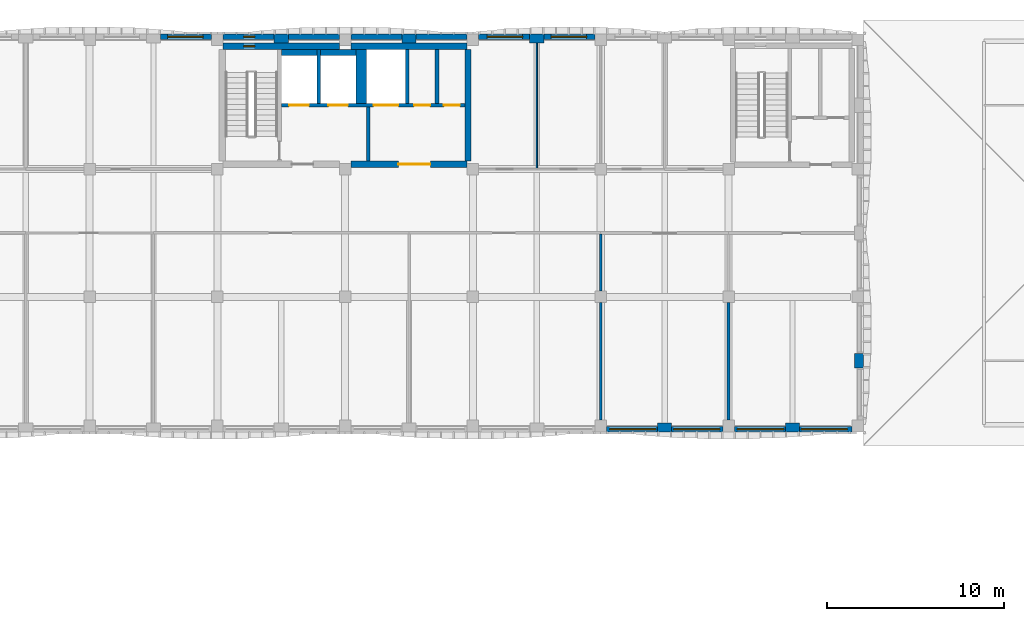
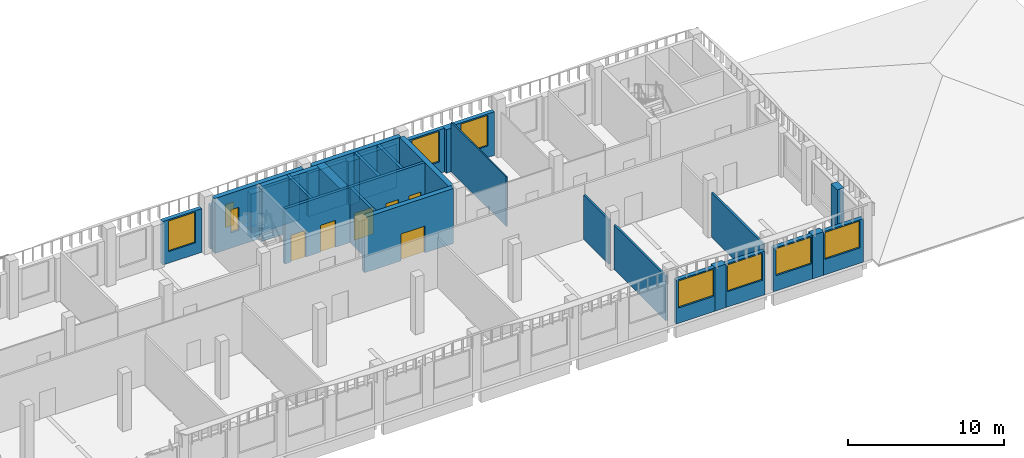
# One storey, part 27 of 54: 33 walls, 9 windows, 6 doors, 15 openings.
"""IFC4 building model written with IfcOpenShell, lengths in metres."""

from ifc_helpers import new_model, si_unit, direction, frame, frame_2d, origin, place, context, subcontext, project, spatial, rectangle, extrude, material, layer, layer_set, type_object, element, fill, save


model = new_model("IFC4")

# Units and contexts
model_context = context("Model", 3, precision=1e-05, world=origin(), true_north=direction((0.0, 1.0)))
body_context = subcontext(model_context, "Body", "Model", "MODEL_VIEW")
ifc_project = project(units=[si_unit("LENGTHUNIT", "METRE"), si_unit("AREAUNIT", "SQUARE_METRE"), si_unit("VOLUMEUNIT", "CUBIC_METRE"), si_unit("PLANEANGLEUNIT", "RADIAN"), si_unit("MASSUNIT", "GRAM", prefix="KILO")], contexts=[model_context])

# Site, building, storey
site_placement = place(None, origin())
site = spatial("IfcSite", under=ifc_project, at=site_placement, CompositionType="ELEMENT")
building_placement = place(site_placement, origin())
building = spatial("IfcBuilding", under=site, at=building_placement, Name="Ussher Court Research Institute", CompositionType="ELEMENT")
storey_placement = place(building_placement, frame((0.0, 0.0, 14.39990234375)))
storey = spatial("IfcBuildingStorey", under=building, at=storey_placement, Name="L03", CompositionType="ELEMENT", Elevation=14.39990234375)

# Wall, opening, window
ifc_material_1 = material(Name="Blockwork with cream render", Category="masonry")
ifc_layer_1 = layer(ifc_material_1, 0.300048828125)
ifc_layer_set_1 = layer_set([ifc_layer_1], Name="Blockwork with cream render")
wall_type_1 = type_object("IfcWallType", Name="External wall 300 cream render", PredefinedType="SOLIDWALL", material=ifc_layer_set_1)
wall_1_placement = place(storey_placement, frame((43.0, 90.64990234375, 0.0), z_axis=(0.0, 0.0, 1.0), x_axis=(1.0, 0.0, 0.0)))
wall_1 = element("IfcWall", 1, at=wall_1_placement, inside=storey, type_object=wall_type_1, Name="External wall EW1 L03", PredefinedType="SOLIDWALL", context=body_context, shape_type="SweptSolid", body=[
    extrude(rectangle(XDim=2.875, YDim=0.300048828125, at=frame_2d((1.4375, 0.0))), origin(), (0.0, 0.0, 1.0), 3.400146484375),
])
opening_1_placement = place(wall_1_placement, frame((0.39990234375, 0.0, 0.89990234375)))
opening_1 = element("IfcOpeningElement", 2, at=opening_1_placement, cuts=wall_1, Name="Opening W14", PredefinedType="OPENING", context=body_context, shape_type="SweptSolid", body=[
    extrude(rectangle(XDim=2.0, YDim=2.39990234375, at=frame_2d((1.0, 1.199951171875))), frame((0.0, 0.16015625, 0.0), z_axis=(0.0, -1.0, 0.0), x_axis=(1.0, 0.0, 0.0)), (0.0, 0.0, 1.0), 0.320068359375),
])
ifc_material_2 = material(Name="Bronze anodised aluminium with double glazing", Category="aluminium")
window_type_1 = type_object("IfcWindowType", Name="Seminar and write-up office window 2000x2400", PartitioningType="DOUBLE_PANEL_VERTICAL", PredefinedType="WINDOW", material=ifc_material_2)
window_1_placement = place(opening_1_placement, origin())
window_1 = element("IfcWindow", 3, at=window_1_placement, inside=storey, type_object=window_type_1, Name="Window W14 L03", OverallHeight=2.39990234375, OverallWidth=2.0, PartitioningType="SINGLE_PANEL", PredefinedType="WINDOW", context=body_context, shape_type="SweptSolid", body=[
    extrude(rectangle(XDim=2.0, YDim=2.39990234375, at=frame_2d((1.0, 1.199951171875))), frame((0.0, 0.030029296875, 0.0), z_axis=(0.0, -1.0, 0.0), x_axis=(1.0, 0.0, 0.0)), (0.0, 0.0, 1.0), 0.06005859375),
])
fill(opening_1, window_1)

wall_2_placement = place(storey_placement, frame((60.925048828125, 90.64990234375, 0.0), z_axis=(0.0, 0.0, 1.0), x_axis=(1.0, 0.0, 0.0)))
wall_2 = element("IfcWall", 4, at=wall_2_placement, inside=storey, type_object=wall_type_1, Name="External wall EW1 L03", PredefinedType="SOLIDWALL", context=body_context, shape_type="SweptSolid", body=[
    extrude(rectangle(XDim=2.875, YDim=0.300048828125, at=frame_2d((1.4375, 0.0))), origin(), (0.0, 0.0, 1.0), 3.400146484375),
])
opening_2_placement = place(wall_2_placement, frame((0.47509765625, 0.0, 0.89990234375)))
opening_2 = element("IfcOpeningElement", 5, at=opening_2_placement, cuts=wall_2, Name="Opening W14", PredefinedType="OPENING", context=body_context, shape_type="SweptSolid", body=[
    extrude(rectangle(XDim=2.0, YDim=2.39990234375, at=frame_2d((1.0, 1.199951171875))), frame((0.0, 0.16015625, 0.0), z_axis=(0.0, -1.0, 0.0), x_axis=(1.0, 0.0, 0.0)), (0.0, 0.0, 1.0), 0.320068359375),
])
window_2_placement = place(opening_2_placement, origin())
window_2 = element("IfcWindow", 6, at=window_2_placement, inside=storey, type_object=window_type_1, Name="Window W14 L03", OverallHeight=2.39990234375, OverallWidth=2.0, PartitioningType="SINGLE_PANEL", PredefinedType="WINDOW", context=body_context, shape_type="SweptSolid", body=[
    extrude(rectangle(XDim=2.0, YDim=2.39990234375, at=frame_2d((1.0, 1.199951171875))), frame((0.0, 0.030029296875, 0.0), z_axis=(0.0, -1.0, 0.0), x_axis=(1.0, 0.0, 0.0)), (0.0, 0.0, 1.0), 0.06005859375),
])
fill(opening_2, window_2)

wall_3_placement = place(storey_placement, frame((64.60009765625, 90.64990234375, 0.0), z_axis=(0.0, 0.0, 1.0), x_axis=(1.0, 0.0, 0.0)))
wall_3 = element("IfcWall", 7, at=wall_3_placement, inside=storey, type_object=wall_type_1, Name="External wall EW1 L03", PredefinedType="SOLIDWALL", context=body_context, shape_type="SweptSolid", body=[
    extrude(rectangle(XDim=2.875, YDim=0.300048828125, at=frame_2d((1.4375, 0.0))), origin(), (0.0, 0.0, 1.0), 3.400146484375),
])
opening_3_placement = place(wall_3_placement, frame((0.39990234375, 0.0, 0.89990234375)))
opening_3 = element("IfcOpeningElement", 8, at=opening_3_placement, cuts=wall_3, Name="Opening W14", PredefinedType="OPENING", context=body_context, shape_type="SweptSolid", body=[
    extrude(rectangle(XDim=2.0, YDim=2.39990234375, at=frame_2d((1.0, 1.199951171875))), frame((0.0, 0.16015625, 0.0), z_axis=(0.0, -1.0, 0.0), x_axis=(1.0, 0.0, 0.0)), (0.0, 0.0, 1.0), 0.320068359375),
])
window_3_placement = place(opening_3_placement, origin())
window_3 = element("IfcWindow", 9, at=window_3_placement, inside=storey, type_object=window_type_1, Name="Window W14 L03", OverallHeight=2.39990234375, OverallWidth=2.0, PartitioningType="SINGLE_PANEL", PredefinedType="WINDOW", context=body_context, shape_type="SweptSolid", body=[
    extrude(rectangle(XDim=2.0, YDim=2.39990234375, at=frame_2d((1.0, 1.199951171875))), frame((0.0, 0.030029296875, 0.0), z_axis=(0.0, -1.0, 0.0), x_axis=(1.0, 0.0, 0.0)), (0.0, 0.0, 1.0), 0.06005859375),
])
fill(opening_3, window_3)

wall_4_placement = place(storey_placement, frame((81.949951171875, 68.550048828125, 0.0), z_axis=(0.0, 0.0, 1.0), x_axis=(-1.0, 0.0, 0.0)))
wall_4 = element("IfcWall", 10, at=wall_4_placement, inside=storey, type_object=wall_type_1, Name="External wall EW1 L03", PredefinedType="SOLIDWALL", context=body_context, shape_type="SweptSolid", body=[
    extrude(rectangle(XDim=2.949951171875, YDim=0.300048828125, at=frame_2d((1.47509765625, 0.0))), origin(), (0.0, 0.0, 1.0), 3.400146484375),
])
opening_4_placement = place(wall_4_placement, frame((0.25, 0.0, 1.199951171875)))
opening_4 = element("IfcOpeningElement", 11, at=opening_4_placement, cuts=wall_4, Name="Opening W08", PredefinedType="OPENING", context=body_context, shape_type="SweptSolid", body=[
    extrude(rectangle(XDim=2.60009765625, YDim=2.10009765625, at=frame_2d((1.300048828125, 1.050048828125))), frame((0.0, 0.16015625, 0.0), z_axis=(0.0, -1.0, 0.0), x_axis=(1.0, 0.0, 0.0)), (0.0, 0.0, 1.0), 0.320068359375),
])
ifc_material_3 = material(Name="Bronze anodised aluminium with double glazing", Category="aluminium")
window_type_2 = type_object("IfcWindowType", Name="Dry laboratory bay window 2600x2100", PartitioningType="DOUBLE_PANEL_VERTICAL", PredefinedType="WINDOW", material=ifc_material_3)
window_4_placement = place(opening_4_placement, origin())
window_4 = element("IfcWindow", 12, at=window_4_placement, inside=storey, type_object=window_type_2, Name="Window W08 L03", OverallHeight=2.10009765625, OverallWidth=2.60009765625, PartitioningType="SINGLE_PANEL", PredefinedType="WINDOW", context=body_context, shape_type="SweptSolid", body=[
    extrude(rectangle(XDim=2.60009765625, YDim=2.10009765625, at=frame_2d((1.300048828125, 1.050048828125))), frame((0.0, 0.030029296875, 0.0), z_axis=(0.0, -1.0, 0.0), x_axis=(1.0, 0.0, 0.0)), (0.0, 0.0, 1.0), 0.06005859375),
])
fill(opening_4, window_4)

wall_5_placement = place(storey_placement, frame((78.199951171875, 68.550048828125, 0.0), z_axis=(0.0, 0.0, 1.0), x_axis=(-1.0, 0.0, 0.0)))
wall_5 = element("IfcWall", 13, at=wall_5_placement, inside=storey, type_object=wall_type_1, Name="External wall EW1 L03", PredefinedType="SOLIDWALL", context=body_context, shape_type="SweptSolid", body=[
    extrude(rectangle(XDim=2.875, YDim=0.300048828125, at=frame_2d((1.4375, 0.0))), origin(), (0.0, 0.0, 1.0), 3.400146484375),
])
opening_5_placement = place(wall_5_placement, frame((0.10009765625, 0.0, 1.199951171875)))
opening_5 = element("IfcOpeningElement", 14, at=opening_5_placement, cuts=wall_5, Name="Opening W08", PredefinedType="OPENING", context=body_context, shape_type="SweptSolid", body=[
    extrude(rectangle(XDim=2.60009765625, YDim=2.10009765625, at=frame_2d((1.300048828125, 1.050048828125))), frame((0.0, 0.16015625, 0.0), z_axis=(0.0, -1.0, 0.0), x_axis=(1.0, 0.0, 0.0)), (0.0, 0.0, 1.0), 0.320068359375),
])
window_5_placement = place(opening_5_placement, origin())
window_5 = element("IfcWindow", 15, at=window_5_placement, inside=storey, type_object=window_type_2, Name="Window W08 L03", OverallHeight=2.10009765625, OverallWidth=2.60009765625, PartitioningType="SINGLE_PANEL", PredefinedType="WINDOW", context=body_context, shape_type="SweptSolid", body=[
    extrude(rectangle(XDim=2.60009765625, YDim=2.10009765625, at=frame_2d((1.300048828125, 1.050048828125))), frame((0.0, 0.030029296875, 0.0), z_axis=(0.0, -1.0, 0.0), x_axis=(1.0, 0.0, 0.0)), (0.0, 0.0, 1.0), 0.06005859375),
])
fill(opening_5, window_5)

wall_6_placement = place(storey_placement, frame((74.675048828125, 68.550048828125, 0.0), z_axis=(0.0, 0.0, 1.0), x_axis=(-1.0, 0.0, 0.0)))
wall_6 = element("IfcWall", 16, at=wall_6_placement, inside=storey, type_object=wall_type_1, Name="External wall EW1 L03", PredefinedType="SOLIDWALL", context=body_context, shape_type="SweptSolid", body=[
    extrude(rectangle(XDim=2.875, YDim=0.300048828125, at=frame_2d((1.4375, 0.0))), origin(), (0.0, 0.0, 1.0), 3.400146484375),
])
opening_6_placement = place(wall_6_placement, frame((0.175048828125, 0.0, 1.199951171875)))
opening_6 = element("IfcOpeningElement", 17, at=opening_6_placement, cuts=wall_6, Name="Opening W08", PredefinedType="OPENING", context=body_context, shape_type="SweptSolid", body=[
    extrude(rectangle(XDim=2.60009765625, YDim=2.10009765625, at=frame_2d((1.300048828125, 1.050048828125))), frame((0.0, 0.16015625, 0.0), z_axis=(0.0, -1.0, 0.0), x_axis=(1.0, 0.0, 0.0)), (0.0, 0.0, 1.0), 0.320068359375),
])
window_6_placement = place(opening_6_placement, origin())
window_6 = element("IfcWindow", 18, at=window_6_placement, inside=storey, type_object=window_type_2, Name="Window W08 L03", OverallHeight=2.10009765625, OverallWidth=2.60009765625, PartitioningType="SINGLE_PANEL", PredefinedType="WINDOW", context=body_context, shape_type="SweptSolid", body=[
    extrude(rectangle(XDim=2.60009765625, YDim=2.10009765625, at=frame_2d((1.300048828125, 1.050048828125))), frame((0.0, 0.030029296875, 0.0), z_axis=(0.0, -1.0, 0.0), x_axis=(1.0, 0.0, 0.0)), (0.0, 0.0, 1.0), 0.06005859375),
])
fill(opening_6, window_6)

wall_7_placement = place(storey_placement, frame((71.0, 68.550048828125, 0.0), z_axis=(0.0, 0.0, 1.0), x_axis=(-1.0, 0.0, 0.0)))
wall_7 = element("IfcWall", 19, at=wall_7_placement, inside=storey, type_object=wall_type_1, Name="External wall EW1 L03", PredefinedType="SOLIDWALL", context=body_context, shape_type="SweptSolid", body=[
    extrude(rectangle(XDim=2.875, YDim=0.300048828125, at=frame_2d((1.4375, 0.0))), origin(), (0.0, 0.0, 1.0), 3.400146484375),
])
opening_7_placement = place(wall_7_placement, frame((0.10009765625, 0.0, 1.199951171875)))
opening_7 = element("IfcOpeningElement", 20, at=opening_7_placement, cuts=wall_7, Name="Opening W08", PredefinedType="OPENING", context=body_context, shape_type="SweptSolid", body=[
    extrude(rectangle(XDim=2.60009765625, YDim=2.10009765625, at=frame_2d((1.300048828125, 1.050048828125))), frame((0.0, 0.16015625, 0.0), z_axis=(0.0, -1.0, 0.0), x_axis=(1.0, 0.0, 0.0)), (0.0, 0.0, 1.0), 0.320068359375),
])
window_7_placement = place(opening_7_placement, origin())
window_7 = element("IfcWindow", 21, at=window_7_placement, inside=storey, type_object=window_type_2, Name="Window W08 L03", OverallHeight=2.10009765625, OverallWidth=2.60009765625, PartitioningType="SINGLE_PANEL", PredefinedType="WINDOW", context=body_context, shape_type="SweptSolid", body=[
    extrude(rectangle(XDim=2.60009765625, YDim=2.10009765625, at=frame_2d((1.300048828125, 1.050048828125))), frame((0.0, 0.030029296875, 0.0), z_axis=(0.0, -1.0, 0.0), x_axis=(1.0, 0.0, 0.0)), (0.0, 0.0, 1.0), 0.06005859375),
])
fill(opening_7, window_7)

ifc_material_4 = material(Name="Limestone facing on blockwork", Category="masonry")
ifc_layer_2 = layer(ifc_material_4, 0.300048828125)
ifc_layer_set_2 = layer_set([ifc_layer_2], Name="Limestone facing on blockwork")
wall_type_2 = type_object("IfcWallType", Name="External wall 300 stair enclosure", PredefinedType="SOLIDWALL", material=ifc_layer_set_2)
wall_8_placement = place(storey_placement, frame((46.52490234375, 90.64990234375, 0.0), z_axis=(0.0, 0.0, 1.0), x_axis=(1.0, 0.0, 0.0)))
wall_8 = element("IfcWall", 22, at=wall_8_placement, inside=storey, type_object=wall_type_2, Name="External wall EW5 L03", PredefinedType="SOLIDWALL", context=body_context, shape_type="SweptSolid", body=[
    extrude(rectangle(XDim=2.875, YDim=0.300048828125, at=frame_2d((1.4375, 0.0))), origin(), (0.0, 0.0, 1.0), 3.400146484375),
])
opening_8_placement = place(wall_8_placement, frame((1.175048828125, 0.0, 1.199951171875)))
opening_8 = element("IfcOpeningElement", 23, at=opening_8_placement, cuts=wall_8, Name="Opening W25", PredefinedType="OPENING", context=body_context, shape_type="SweptSolid", body=[
    extrude(rectangle(XDim=0.60009765625, YDim=1.800048828125, at=frame_2d((0.300048828125, 0.89990234375))), frame((0.0, 0.16015625, 0.0), z_axis=(0.0, -1.0, 0.0), x_axis=(1.0, 0.0, 0.0)), (0.0, 0.0, 1.0), 0.320068359375),
])
ifc_material_5 = material(Name="Bronze anodised aluminium with double glazing", Category="aluminium")
window_type_3 = type_object("IfcWindowType", Name="Stair light slot window 600x1800 fire-resisting glazing", PartitioningType="SINGLE_PANEL", PredefinedType="WINDOW", material=ifc_material_5)
window_8_placement = place(opening_8_placement, origin())
window_8 = element("IfcWindow", 24, at=window_8_placement, inside=storey, type_object=window_type_3, Name="Window W25 L03", OverallHeight=1.800048828125, OverallWidth=0.60009765625, PartitioningType="SINGLE_PANEL", PredefinedType="WINDOW", context=body_context, shape_type="SweptSolid", body=[
    extrude(rectangle(XDim=0.60009765625, YDim=1.800048828125, at=frame_2d((0.300048828125, 0.89990234375))), frame((0.0, 0.030029296875, 0.0), z_axis=(0.0, -1.0, 0.0), x_axis=(1.0, 0.0, 0.0)), (0.0, 0.0, 1.0), 0.06005859375),
])
fill(opening_8, window_8)

# Walls
for number, where, z_axis, x_axis, name in (
    (25, (50.199951171875, 90.64990234375, 0.0), (0.0, 0.0, 1.0), (1.0, 0.0, 0.0), "External wall EW5 L03"),
    (26, (53.72509765625, 90.64990234375, 0.0), (0.0, 0.0, 1.0), (1.0, 0.0, 0.0), "External wall EW5 L03"),
    (27, (57.39990234375, 90.64990234375, 0.0), (0.0, 0.0, 1.0), (1.0, 0.0, 0.0), "External wall EW5 L03"),
):
    element("IfcWall", number, at=place(storey_placement, frame(where, z_axis=z_axis, x_axis=x_axis)), inside=storey, type_object=wall_type_2, Name=name, PredefinedType="SOLIDWALL", context=body_context, shape_type="SweptSolid", body=[
        extrude(rectangle(XDim=2.875, YDim=0.300048828125, at=frame_2d((1.4375, 0.0))), origin(), (0.0, 0.0, 1.0), 3.400146484375),
    ])
ifc_material_6 = material(Name="Plastered blockwork", Category="masonry")
ifc_layer_3 = layer(ifc_material_6, 0.14990234375)
ifc_layer_set_3 = layer_set([ifc_layer_3], Name="Plastered blockwork")
wall_type_3 = type_object("IfcWallType", Name="Fire partition blockwork 150 EI 60", PredefinedType="PARTITIONING", material=ifc_layer_set_3)
wall_9_placement = place(storey_placement, frame((75.0, 69.050048828125, 0.0), z_axis=(0.0, 0.0, 1.0), x_axis=(0.0, 1.0, 0.0)))
element("IfcWall", 28, at=wall_9_placement, inside=storey, type_object=wall_type_3, Name="Fire partition", PredefinedType="PARTITIONING", context=body_context, shape_type="SweptSolid", body=[
    extrude(rectangle(XDim=6.625, YDim=0.14990234375, at=frame_2d((3.3125, 0.0))), origin(), (0.0, 0.0, 1.0), 3.47021484375),
])
ifc_material_7 = material(Name="Plastered blockwork", Category="masonry")
ifc_layer_4 = layer(ifc_material_7, 0.139892578125)
ifc_layer_set_4 = layer_set([ifc_layer_4], Name="Plastered blockwork")
wall_type_4 = type_object("IfcWallType", Name="Laboratory blockwork partition 140", PredefinedType="PARTITIONING", material=ifc_layer_set_4)
wall_10_placement = place(storey_placement, frame((67.800048828125, 69.050048828125, 0.0), z_axis=(0.0, 0.0, 1.0), x_axis=(0.0, 1.0, 0.0)))
element("IfcWall", 29, at=wall_10_placement, inside=storey, type_object=wall_type_4, Name="Partition", PredefinedType="PARTITIONING", context=body_context, shape_type="SweptSolid", body=[
    extrude(rectangle(XDim=6.625, YDim=0.139892578125, at=frame_2d((3.3125, 0.0))), origin(), (0.0, 0.0, 1.0), 3.47021484375),
])
wall_11_placement = place(storey_placement, frame((67.800048828125, 76.324951171875, 0.0), z_axis=(0.0, 0.0, 1.0), x_axis=(0.0, 1.0, 0.0)))
element("IfcWall", 30, at=wall_11_placement, inside=storey, type_object=wall_type_4, Name="Partition", PredefinedType="PARTITIONING", context=body_context, shape_type="SweptSolid", body=[
    extrude(rectangle(XDim=3.205078125, YDim=0.139892578125, at=frame_2d((1.6025390625, 0.0))), origin(), (0.0, 0.0, 1.0), 3.47021484375),
])
ifc_material_8 = material(Name="Blockwork with cream render", Category="masonry")
ifc_layer_5 = layer(ifc_material_8, 0.5)
ifc_layer_set_5 = layer_set([ifc_layer_5], Name="Blockwork with cream render")
wall_type_5 = type_object("IfcWallType", Name="Pier 800x500 cream render", PredefinedType="SOLIDWALL", material=ifc_layer_set_5)
wall_12_placement = place(storey_placement, frame((49.39990234375, 90.550048828125, 0.0), z_axis=(0.0, 0.0, 1.0), x_axis=(1.0, 0.0, 0.0)))
element("IfcWall", 31, at=wall_12_placement, inside=storey, type_object=wall_type_5, Name="Pier PR1 L03", PredefinedType="SOLIDWALL", context=body_context, shape_type="SweptSolid", body=[
    extrude(rectangle(XDim=0.800048828125, YDim=0.5, at=frame_2d((0.39990234375, 0.0))), origin(), (0.0, 0.0, 1.0), 3.400146484375),
])
wall_13_placement = place(storey_placement, frame((56.60009765625, 90.550048828125, 0.0), z_axis=(0.0, 0.0, 1.0), x_axis=(1.0, 0.0, 0.0)))
element("IfcWall", 32, at=wall_13_placement, inside=storey, type_object=wall_type_5, Name="Pier PR1 L03", PredefinedType="SOLIDWALL", context=body_context, shape_type="SweptSolid", body=[
    extrude(rectangle(XDim=0.7998046875, YDim=0.5, at=frame_2d((0.39990234375, 0.0))), origin(), (0.0, 0.0, 1.0), 3.400146484375),
])
for number, where, z_axis, x_axis, name in (
    (33, (63.800048828125, 90.550048828125, 0.0), (0.0, 0.0, 1.0), (1.0, 0.0, 0.0), "Pier PR1 L03"),
    (34, (82.35009765625, 72.800048828125, 0.0), (0.0, 0.0, 1.0), (0.0, -1.0, 0.0), "Pier PR1 L03"),
    (35, (79.0, 68.64990234375, 0.0), (0.0, 0.0, 1.0), (-1.0, 0.0, 0.0), "Pier PR1 L03"),
    (36, (71.800048828125, 68.64990234375, 0.0), (0.0, 0.0, 1.0), (-1.0, 0.0, 0.0), "Pier PR1 L03"),
):
    element("IfcWall", number, at=place(storey_placement, frame(where, z_axis=z_axis, x_axis=x_axis)), inside=storey, type_object=wall_type_5, Name=name, PredefinedType="SOLIDWALL", context=body_context, shape_type="SweptSolid", body=[
        extrude(rectangle(XDim=0.800048828125, YDim=0.5, at=frame_2d((0.39990234375, 0.0))), origin(), (0.0, 0.0, 1.0), 3.400146484375),
    ])
ifc_material_9 = material(Name="Concrete C35/45", Category="concrete")
ifc_layer_6 = layer(ifc_material_9, 0.199951171875)
ifc_layer_set_6 = layer_set([ifc_layer_6], Name="Concrete C35/45")
wall_type_6 = type_object("IfcWallType", Name="RC core wall 200", PredefinedType="SHEAR", material=ifc_layer_set_6)
wall_14_placement = place(storey_placement, frame((54.699951171875, 83.64990234375, 0.0), z_axis=(0.0, 0.0, 1.0), x_axis=(0.0, 1.0, 0.0)))
element("IfcWall", 37, at=wall_14_placement, inside=storey, type_object=wall_type_6, Name="Core wall D2", PredefinedType="SHEAR", context=body_context, shape_type="SweptSolid", body=[
    extrude(rectangle(XDim=3.050048828125, YDim=0.199951171875, at=frame_2d((1.52490234375, 0.0))), origin(), (0.0, 0.0, 1.0), 4.300048828125),
])

# Wall, openings, doors
wall_15_placement = place(storey_placement, frame((60.14990234375, 86.800048828125, 0.0), z_axis=(0.0, 0.0, 1.0), x_axis=(-1.0, 0.0, 0.0)))
wall_15 = element("IfcWall", 38, at=wall_15_placement, inside=storey, type_object=wall_type_6, Name="Core wall D2", PredefinedType="SHEAR", context=body_context, shape_type="SweptSolid", body=[
    extrude(rectangle(XDim=10.349853515625, YDim=0.199951171875, at=frame_2d((5.1748046875, 0.0))), origin(), (0.0, 0.0, 1.0), 4.300048828125),
])
opening_9_placement = place(wall_15_placement, frame((8.800048828125, 0.0, 0.0)))
opening_9 = element("IfcOpeningElement", 39, at=opening_9_placement, cuts=wall_15, Name="Opening LD43", PredefinedType="OPENING", context=body_context, shape_type="SweptSolid", body=[
    extrude(rectangle(XDim=1.10009765625, YDim=2.10009765625, at=frame_2d((0.550048828125, 1.050048828125))), frame((0.0, 0.10986328125, 0.0), z_axis=(0.0, -1.0, 0.0), x_axis=(1.0, 0.0, 0.0)), (0.0, 0.0, 1.0), 0.219970703125),
])
opening_10_placement = place(wall_15_placement, frame((6.60009765625, 0.0, 0.0)))
opening_10 = element("IfcOpeningElement", 40, at=opening_10_placement, cuts=wall_15, Name="Opening LD44", PredefinedType="OPENING", context=body_context, shape_type="SweptSolid", body=[
    extrude(rectangle(XDim=1.10009765625, YDim=2.10009765625, at=frame_2d((0.550048828125, 1.050048828125))), frame((0.0, 0.10986328125, 0.0), z_axis=(0.0, -1.0, 0.0), x_axis=(1.0, 0.0, 0.0)), (0.0, 0.0, 1.0), 0.219970703125),
])
opening_11_placement = place(wall_15_placement, frame((3.75, 0.0, 0.0)))
opening_11 = element("IfcOpeningElement", 41, at=opening_11_placement, cuts=wall_15, Name="Opening LD45", PredefinedType="OPENING", context=body_context, shape_type="SweptSolid", body=[
    extrude(rectangle(XDim=1.39990234375, YDim=2.10009765625, at=frame_2d((0.699951171875, 1.050048828125))), frame((0.0, 0.10986328125, 0.0), z_axis=(0.0, -1.0, 0.0), x_axis=(1.0, 0.0, 0.0)), (0.0, 0.0, 1.0), 0.219970703125),
])
opening_12_placement = place(wall_15_placement, frame((1.96240234375, 0.0, 0.0)))
opening_12 = element("IfcOpeningElement", 42, at=opening_12_placement, cuts=wall_15, Name="Opening D03023", PredefinedType="OPENING", context=body_context, shape_type="SweptSolid", body=[
    extrude(rectangle(XDim=0.89990234375, YDim=2.10009765625, at=frame_2d((0.449951171875, 1.050048828125))), frame((0.0, 0.10986328125, 0.0), z_axis=(0.0, -1.0, 0.0), x_axis=(1.0, 0.0, 0.0)), (0.0, 0.0, 1.0), 0.219970703125),
])
opening_13_placement = place(wall_15_placement, frame((0.28759765625, 0.0, 0.0)))
opening_13 = element("IfcOpeningElement", 43, at=opening_13_placement, cuts=wall_15, Name="Opening D03024", PredefinedType="OPENING", context=body_context, shape_type="SweptSolid", body=[
    extrude(rectangle(XDim=0.89990234375, YDim=2.10009765625, at=frame_2d((0.449951171875, 1.050048828125))), frame((0.0, 0.10986328125, 0.0), z_axis=(0.0, -1.0, 0.0), x_axis=(1.0, 0.0, 0.0)), (0.0, 0.0, 1.0), 0.219970703125),
])
ifc_material_10 = material(Name="Painted steel faced fire door", Category="steel")
door_type_1 = type_object("IfcDoorType", Name="Fire door 900x2100 FD60", OperationType="NOTDEFINED", PredefinedType="DOOR", material=ifc_material_10)
door_1_placement = place(opening_12_placement, origin())
door_1 = element("IfcDoor", 44, at=door_1_placement, inside=storey, type_object=door_type_1, Name="Door D03023", OperationType="SINGLE_SWING_LEFT", OverallHeight=2.10009765625, OverallWidth=0.89990234375, PredefinedType="DOOR", context=body_context, shape_type="SweptSolid", body=[
    extrude(rectangle(XDim=0.89990234375, YDim=2.10009765625, at=frame_2d((0.449951171875, 1.050048828125))), frame((0.0, 0.02490234375, 0.0), z_axis=(0.0, -1.0, 0.0), x_axis=(1.0, 0.0, 0.0)), (0.0, 0.0, 1.0), 0.050048828125),
])
fill(opening_12, door_1)
door_2_placement = place(opening_13_placement, origin())
door_2 = element("IfcDoor", 45, at=door_2_placement, inside=storey, type_object=door_type_1, Name="Door D03024", OperationType="SINGLE_SWING_LEFT", OverallHeight=2.10009765625, OverallWidth=0.89990234375, PredefinedType="DOOR", context=body_context, shape_type="SweptSolid", body=[
    extrude(rectangle(XDim=0.89990234375, YDim=2.10009765625, at=frame_2d((0.449951171875, 1.050048828125))), frame((0.0, 0.02490234375, 0.0), z_axis=(0.0, -1.0, 0.0), x_axis=(1.0, 0.0, 0.0)), (0.0, 0.0, 1.0), 0.050048828125),
])
fill(opening_13, door_2)
ifc_material_11 = material(Name="Stainless steel lift door", Category="steel")
door_type_2 = type_object("IfcDoorType", Name="Lift landing door 1100x2100 sliding", OperationType="DOUBLE_DOOR_SLIDING", PredefinedType="DOOR", material=ifc_material_11)
door_3_placement = place(opening_9_placement, origin())
door_3 = element("IfcDoor", 46, at=door_3_placement, inside=storey, type_object=door_type_2, Name="Landing door D2-1 L03", OperationType="DOUBLE_DOOR_SLIDING", OverallHeight=2.10009765625, OverallWidth=1.10009765625, PredefinedType="DOOR", context=body_context, shape_type="SweptSolid", body=[
    extrude(rectangle(XDim=1.10009765625, YDim=2.10009765625, at=frame_2d((0.550048828125, 1.050048828125))), frame((0.0, 0.02490234375, 0.0), z_axis=(0.0, -1.0, 0.0), x_axis=(1.0, 0.0, 0.0)), (0.0, 0.0, 1.0), 0.050048828125),
])
fill(opening_9, door_3)
door_4_placement = place(opening_10_placement, origin())
door_4 = element("IfcDoor", 47, at=door_4_placement, inside=storey, type_object=door_type_2, Name="Landing door D2-2 L03", OperationType="DOUBLE_DOOR_SLIDING", OverallHeight=2.10009765625, OverallWidth=1.10009765625, PredefinedType="DOOR", context=body_context, shape_type="SweptSolid", body=[
    extrude(rectangle(XDim=1.10009765625, YDim=2.10009765625, at=frame_2d((0.550048828125, 1.050048828125))), frame((0.0, 0.02490234375, 0.0), z_axis=(0.0, -1.0, 0.0), x_axis=(1.0, 0.0, 0.0)), (0.0, 0.0, 1.0), 0.050048828125),
])
fill(opening_10, door_4)
ifc_material_12 = material(Name="Stainless steel lift door", Category="steel")
door_type_3 = type_object("IfcDoorType", Name="Lift landing door 1400x2100 sliding", OperationType="DOUBLE_DOOR_SLIDING", PredefinedType="DOOR", material=ifc_material_12)
door_5_placement = place(opening_11_placement, origin())
door_5 = element("IfcDoor", 48, at=door_5_placement, inside=storey, type_object=door_type_3, Name="Landing door D2-3 L03", OperationType="DOUBLE_DOOR_SLIDING", OverallHeight=2.10009765625, OverallWidth=1.39990234375, PredefinedType="DOOR", context=body_context, shape_type="SweptSolid", body=[
    extrude(rectangle(XDim=1.39990234375, YDim=2.10009765625, at=frame_2d((0.699951171875, 1.050048828125))), frame((0.0, 0.02490234375, 0.0), z_axis=(0.0, -1.0, 0.0), x_axis=(1.0, 0.0, 0.0)), (0.0, 0.0, 1.0), 0.050048828125),
])
fill(opening_11, door_5)

# Walls
for number, where, z_axis, x_axis, name in (
    (49, (51.89990234375, 86.89990234375, 0.0), (0.0, 0.0, 1.0), (0.0, 1.0, 0.0), "Core wall D2"),
    (50, (56.89990234375, 86.89990234375, 0.0), (0.0, 0.0, 1.0), (0.0, 1.0, 0.0), "Core wall D2"),
    (51, (58.574951171875, 86.89990234375, 0.0), (0.0, 0.0, 1.0), (0.0, 1.0, 0.0), "Core wall D2"),
):
    element("IfcWall", number, at=place(storey_placement, frame(where, z_axis=z_axis, x_axis=x_axis)), inside=storey, type_object=wall_type_6, Name=name, PredefinedType="SHEAR", context=body_context, shape_type="SweptSolid", body=[
        extrude(rectangle(XDim=3.050048828125, YDim=0.199951171875, at=frame_2d((1.52490234375, 0.0))), origin(), (0.0, 0.0, 1.0), 4.300048828125),
    ])

# Wall, opening, door
ifc_material_13 = material(Name="Concrete C35/45", Category="concrete")
ifc_layer_7 = layer(ifc_material_13, 0.35009765625)
ifc_layer_set_7 = layer_set([ifc_layer_7], Name="Concrete C35/45")
wall_type_7 = type_object("IfcWallType", Name="RC core wall 350", PredefinedType="SHEAR", material=ifc_layer_set_7)
wall_16_placement = place(storey_placement, frame((53.72509765625, 83.47509765625, 0.0), z_axis=(0.0, 0.0, 1.0), x_axis=(1.0, 0.0, 0.0)))
wall_16 = element("IfcWall", 52, at=wall_16_placement, inside=storey, type_object=wall_type_7, Name="Core wall D2", PredefinedType="SHEAR", context=body_context, shape_type="SweptSolid", body=[
    extrude(rectangle(XDim=6.5498046875, YDim=0.35009765625, at=frame_2d((3.27490234375, 0.0))), origin(), (0.0, 0.0, 1.0), 4.300048828125),
])
opening_14_placement = place(wall_16_placement, frame((2.675048828125, 0.0, 0.0)))
opening_14 = element("IfcOpeningElement", 53, at=opening_14_placement, cuts=wall_16, Name="Opening D03022", PredefinedType="OPENING", context=body_context, shape_type="SweptSolid", body=[
    extrude(rectangle(XDim=1.800048828125, YDim=2.10009765625, at=frame_2d((0.89990234375, 1.050048828125))), frame((0.0, 0.18505859375, 0.0), z_axis=(0.0, -1.0, 0.0), x_axis=(1.0, 0.0, 0.0)), (0.0, 0.0, 1.0), 0.3701171875),
])
ifc_material_14 = material(Name="Painted steel faced fire door", Category="steel")
door_type_4 = type_object("IfcDoorType", Name="Fire door 1800x2100 FD60 double leaf", OperationType="DOUBLE_DOOR_SINGLE_SWING", PredefinedType="DOOR", material=ifc_material_14)
door_6_placement = place(opening_14_placement, origin())
door_6 = element("IfcDoor", 54, at=door_6_placement, inside=storey, type_object=door_type_4, Name="Door D03022", OperationType="SINGLE_SWING_LEFT", OverallHeight=2.10009765625, OverallWidth=1.800048828125, PredefinedType="DOOR", context=body_context, shape_type="SweptSolid", body=[
    extrude(rectangle(XDim=1.800048828125, YDim=2.10009765625, at=frame_2d((0.89990234375, 1.050048828125))), frame((0.0, 0.02490234375, 0.0), z_axis=(0.0, -1.0, 0.0), x_axis=(1.0, 0.0, 0.0)), (0.0, 0.0, 1.0), 0.050048828125),
])
fill(opening_14, door_6)

# Wall, opening, window
wall_17_placement = place(storey_placement, frame((46.52490234375, 90.125, 0.0), z_axis=(0.0, 0.0, 1.0), x_axis=(1.0, 0.0, 0.0)))
wall_17 = element("IfcWall", 55, at=wall_17_placement, inside=storey, type_object=wall_type_7, Name="Core wall D2", PredefinedType="SHEAR", context=body_context, shape_type="SweptSolid", body=[
    extrude(rectangle(XDim=6.550048828125, YDim=0.35009765625, at=frame_2d((3.27490234375, 0.0))), origin(), (0.0, 0.0, 1.0), 4.300048828125),
])
opening_15_placement = place(wall_17_placement, frame((1.175048828125, 0.0, 1.199951171875)))
opening_15 = element("IfcOpeningElement", 56, at=opening_15_placement, cuts=wall_17, Name="Opening W25", PredefinedType="OPENING", context=body_context, shape_type="SweptSolid", body=[
    extrude(rectangle(XDim=0.60009765625, YDim=1.800048828125, at=frame_2d((0.300048828125, 0.89990234375))), frame((0.0, 0.18505859375, 0.0), z_axis=(0.0, -1.0, 0.0), x_axis=(1.0, 0.0, 0.0)), (0.0, 0.0, 1.0), 0.3701171875),
])
window_9_placement = place(opening_15_placement, origin())
window_9 = element("IfcWindow", 57, at=window_9_placement, inside=storey, type_object=window_type_3, Name="Window stair light D2 L03", OverallHeight=1.800048828125, OverallWidth=0.60009765625, PartitioningType="SINGLE_PANEL", PredefinedType="WINDOW", context=body_context, shape_type="SweptSolid", body=[
    extrude(rectangle(XDim=0.60009765625, YDim=1.800048828125, at=frame_2d((0.300048828125, 0.89990234375))), frame((0.0, 0.030029296875, 0.0), z_axis=(0.0, -1.0, 0.0), x_axis=(1.0, 0.0, 0.0)), (0.0, 0.0, 1.0), 0.06005859375),
])
fill(opening_15, window_9)

# Walls
wall_18_placement = place(storey_placement, frame((53.72509765625, 90.125, 0.0), z_axis=(0.0, 0.0, 1.0), x_axis=(1.0, 0.0, 0.0)))
element("IfcWall", 58, at=wall_18_placement, inside=storey, type_object=wall_type_7, Name="Core wall D2", PredefinedType="SHEAR", context=body_context, shape_type="SweptSolid", body=[
    extrude(rectangle(XDim=6.5498046875, YDim=0.35009765625, at=frame_2d((3.27490234375, 0.0))), origin(), (0.0, 0.0, 1.0), 4.300048828125),
])
wall_19_placement = place(storey_placement, frame((60.324951171875, 83.64990234375, 0.0), z_axis=(0.0, 0.0, 1.0), x_axis=(0.0, 1.0, 0.0)))
element("IfcWall", 59, at=wall_19_placement, inside=storey, type_object=wall_type_7, Name="Core wall D2", PredefinedType="SHEAR", context=body_context, shape_type="SweptSolid", body=[
    extrude(rectangle(XDim=6.300048828125, YDim=0.35009765625, at=frame_2d((3.14990234375, 0.0))), origin(), (0.0, 0.0, 1.0), 4.300048828125),
])
for number, where, z_axis, x_axis, name in (
    (60, (49.800048828125, 89.77490234375, 0.0), (0.0, 0.0, 1.0), (1.0, 0.0, 0.0), "Core wall D2"),
    (61, (52.0, 89.77490234375, 0.0), (0.0, 0.0, 1.0), (1.0, 0.0, 0.0), "Core wall D2"),
):
    element("IfcWall", number, at=place(storey_placement, frame(where, z_axis=z_axis, x_axis=x_axis)), inside=storey, type_object=wall_type_7, Name=name, PredefinedType="SHEAR", context=body_context, shape_type="SweptSolid", body=[
        extrude(rectangle(XDim=2.0, YDim=0.35009765625, at=frame_2d((1.0, 0.0))), origin(), (0.0, 0.0, 1.0), 4.300048828125),
    ])
ifc_material_15 = material(Name="Concrete C35/45", Category="concrete")
ifc_layer_8 = layer(ifc_material_15, 0.60009765625)
ifc_layer_set_8 = layer_set([ifc_layer_8], Name="Concrete C35/45")
wall_type_8 = type_object("IfcWallType", Name="RC core wall 600", PredefinedType="SHEAR", material=ifc_layer_set_8)
wall_20_placement = place(storey_placement, frame((54.300048828125, 86.89990234375, 0.0), z_axis=(0.0, 0.0, 1.0), x_axis=(0.0, 1.0, 0.0)))
element("IfcWall", 62, at=wall_20_placement, inside=storey, type_object=wall_type_8, Name="Core wall D2", PredefinedType="SHEAR", context=body_context, shape_type="SweptSolid", body=[
    extrude(rectangle(XDim=3.050048828125, YDim=0.60009765625, at=frame_2d((1.52490234375, 0.0))), origin(), (0.0, 0.0, 1.0), 4.300048828125),
])
ifc_material_16 = material(Name="Moisture-resistant board on steel studs", Category="steel")
ifc_layer_9 = layer(ifc_material_16, 0.090087890625)
ifc_layer_set_9 = layer_set([ifc_layer_9], Name="Moisture-resistant board on steel studs")
wall_type_9 = type_object("IfcWallType", Name="WC lining partition 90", PredefinedType="PARTITIONING", material=ifc_layer_set_9)
wall_21_placement = place(storey_placement, frame((64.199951171875, 83.2451171875, 0.0), z_axis=(0.0, 0.0, 1.0), x_axis=(0.0, 1.0, 0.0)))
element("IfcWall", 63, at=wall_21_placement, inside=storey, type_object=wall_type_9, Name="Partition", PredefinedType="PARTITIONING", context=body_context, shape_type="SweptSolid", body=[
    extrude(rectangle(XDim=7.054931640625, YDim=0.090087890625, at=frame_2d((3.52734375, 0.0))), origin(), (0.0, 0.0, 1.0), 3.8701171875),
])

save(model, "model.ifc")
